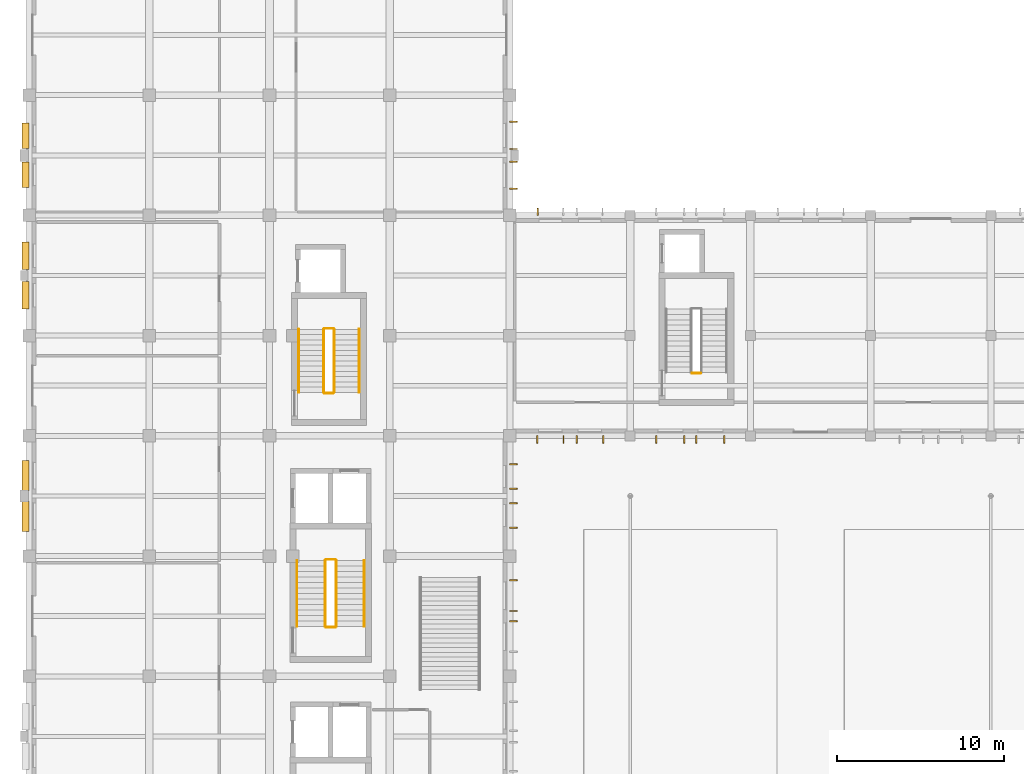
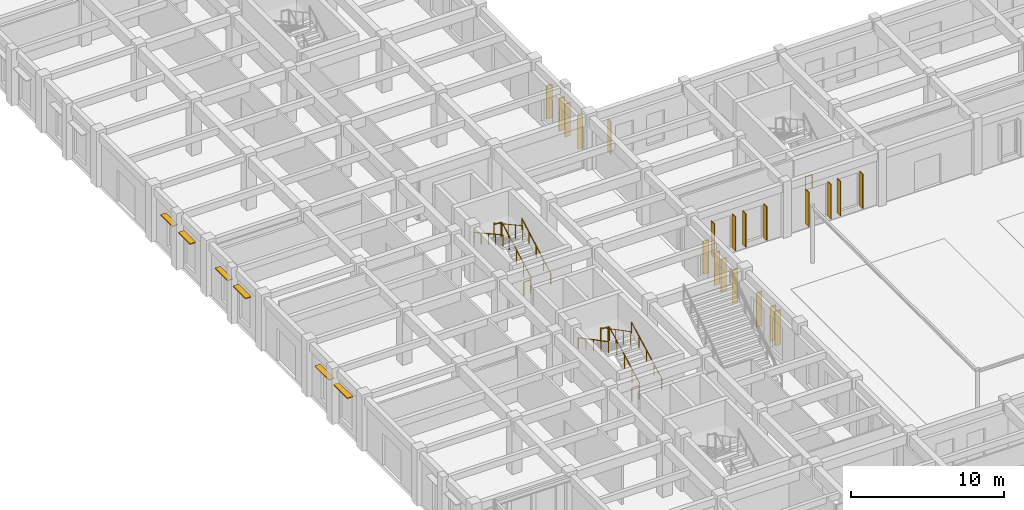
# One storey, part 37 of 43: 20 coverings, 13 railings, 6 shading devices.
"""IFC4 building model written with IfcOpenShell, lengths in metres."""

from ifc_helpers import new_model, si_unit, direction, frame, origin, origin_2d, place, context, subcontext, project, spatial, polyline, rectangle, circle, outline, extrude, material, layer, layer_set, type_object, element, save


model = new_model("IFC4")

# Units and contexts
model_context = context("Model", 3, precision=1e-05, world=origin(), true_north=direction((0.0, 1.0)))
body_context = subcontext(model_context, "Body", "Model", "MODEL_VIEW")
ifc_project = project(units=[si_unit("LENGTHUNIT", "METRE"), si_unit("AREAUNIT", "SQUARE_METRE"), si_unit("VOLUMEUNIT", "CUBIC_METRE"), si_unit("PLANEANGLEUNIT", "RADIAN"), si_unit("MASSUNIT", "GRAM", prefix="KILO")], contexts=[model_context])

# Site, building, storey
site_placement = place(None, origin())
site = spatial("IfcSite", under=ifc_project, at=site_placement, CompositionType="ELEMENT")
building_placement = place(site_placement, origin())
building = spatial("IfcBuilding", under=site, at=building_placement, Name="Alvorim Cloister Faculty of Sciences", CompositionType="ELEMENT")
storey_placement = place(building_placement, origin())
storey = spatial("IfcBuildingStorey", under=building, at=storey_placement, Name="L00", CompositionType="ELEMENT", Elevation=0.0)

# Coverings
ifc_material_1 = material(Name="Anodised Aluminium Alloy 6063-T6", Category="aluminium")
ifc_layer = layer(ifc_material_1, 0.054931640625)
ifc_layer_set = layer_set([ifc_layer], Name="Anodised Aluminium Alloy 6063-T6")
covering_type = type_object("IfcCoveringType", Name="COV-SHD-FIN", PredefinedType="CLADDING", material=ifc_layer_set)
for number, where, z_axis, x_axis, name in (
    (1, (28.800048828125, 57.993408203125, 0.389892578125), (0.0, 0.0, 1.0), (1.0, 0.0, 0.0), "L00 Brise-Soleil Vertical Fin COV-FIN-00055"),
    (2, (28.800048828125, 59.623291015625, 0.389892578125), (0.0, 0.0, 1.0), (1.0, 0.0, 0.0), "L00 Brise-Soleil Vertical Fin COV-FIN-00056"),
    (3, (28.800048828125, 60.376708984375, 0.389892578125), (0.0, 0.0, 1.0), (1.0, 0.0, 0.0), "L00 Brise-Soleil Vertical Fin COV-FIN-00057"),
    (4, (28.800048828125, 62.006591796875, 0.389892578125), (0.0, 0.0, 1.0), (1.0, 0.0, 0.0), "L00 Brise-Soleil Vertical Fin COV-FIN-00058"),
):
    element("IfcCovering", number, at=place(storey_placement, frame(where, z_axis=z_axis, x_axis=x_axis)), inside=storey, type_object=covering_type, Name=name, PredefinedType="CLADDING", context=body_context, shape_type="SweptSolid", body=[
        extrude(outline(polyline([(0.0, 0.0), (0.43994140625, 0.0), (0.43994140625, 2.66015625), (0.0, 2.66015625), (0.0, 0.0)])), frame((0.0, 0.02734375, 0.0), z_axis=(0.0, -1.0, 0.0), x_axis=(1.0, 0.0, 0.0)), (0.0, 0.0, 1.0), 0.054931640625),
    ])
covering_placement = place(storey_placement, frame((30.4599609375, 56.39990234375, 0.389892578125), z_axis=(0.0, 0.0, 1.0), x_axis=(0.0, 1.0, 0.0)))
element("IfcCovering", 5, at=covering_placement, inside=storey, type_object=covering_type, Name="L00 Brise-Soleil Vertical Fin COV-FIN-00059", PredefinedType="CLADDING", context=body_context, shape_type="SweptSolid", body=[
    extrude(outline(polyline([(0.0, 0.0), (0.43994140625, 0.0), (0.43994140625, 2.610107421875), (0.0, 2.610107421875), (0.0, 0.0)])), frame((0.0, 0.02734375, 0.0), z_axis=(0.0, -1.0, 0.0), x_axis=(1.0, 0.0, 0.0)), (0.0, 0.0, 1.0), 0.054931640625),
])
for number, where, z_axis, x_axis, name in (
    (6, (37.56005859375, 43.199951171875, 0.389892578125), (0.0, 0.0, 1.0), (0.0, -1.0, 0.0), "L00 Brise-Soleil Vertical Fin COV-FIN-00091"),
    (7, (39.239990234375, 43.199951171875, 0.389892578125), (0.0, 0.0, 1.0), (0.0, -1.0, 0.0), "L00 Brise-Soleil Vertical Fin COV-FIN-00092"),
    (8, (39.9599609375, 43.199951171875, 0.389892578125), (0.0, 0.0, 1.0), (0.0, -1.0, 0.0), "L00 Brise-Soleil Vertical Fin COV-FIN-00093"),
    (9, (41.639892578125, 43.199951171875, 0.389892578125), (0.0, 0.0, 1.0), (0.0, -1.0, 0.0), "L00 Brise-Soleil Vertical Fin COV-FIN-00094"),
):
    element("IfcCovering", number, at=place(storey_placement, frame(where, z_axis=z_axis, x_axis=x_axis)), inside=storey, type_object=covering_type, Name=name, PredefinedType="CLADDING", context=body_context, shape_type="SweptSolid", body=[
        extrude(outline(polyline([(0.0, 0.0), (0.43994140625, 0.0), (0.43994140625, 2.760009765625), (0.0, 2.760009765625), (0.0, 0.0)])), frame((0.0, 0.02734375, 0.0), z_axis=(0.0, -1.0, 0.0), x_axis=(1.0, 0.0, 0.0)), (0.0, 0.0, 1.0), 0.054931640625),
    ])
for number, where, z_axis, x_axis, name in (
    (10, (30.4267578125, 43.199951171875, 0.389892578125), (0.0, 0.0, 1.0), (0.0, -1.0, 0.0), "L00 Brise-Soleil Vertical Fin COV-FIN-00095"),
    (11, (32.006591796875, 43.199951171875, 0.389892578125), (0.0, 0.0, 1.0), (0.0, -1.0, 0.0), "L00 Brise-Soleil Vertical Fin COV-FIN-00096"),
    (12, (32.793212890625, 43.199951171875, 0.389892578125), (0.0, 0.0, 1.0), (0.0, -1.0, 0.0), "L00 Brise-Soleil Vertical Fin COV-FIN-00097"),
    (13, (34.373291015625, 43.199951171875, 0.389892578125), (0.0, 0.0, 1.0), (0.0, -1.0, 0.0), "L00 Brise-Soleil Vertical Fin COV-FIN-00098"),
):
    element("IfcCovering", number, at=place(storey_placement, frame(where, z_axis=z_axis, x_axis=x_axis)), inside=storey, type_object=covering_type, Name=name, PredefinedType="CLADDING", context=body_context, shape_type="SweptSolid", body=[
        extrude(outline(polyline([(0.0, 0.0), (0.43994140625, 0.0), (0.43994140625, 2.710205078125), (0.0, 2.710205078125), (0.0, 0.0)])), frame((0.0, 0.02734375, 0.0), z_axis=(0.0, -1.0, 0.0), x_axis=(1.0, 0.0, 0.0)), (0.0, 0.0, 1.0), 0.054931640625),
    ])
for number, where, z_axis, x_axis, name in (
    (14, (28.800048828125, 37.693359375, 0.389892578125), (0.0, 0.0, 1.0), (1.0, 0.0, 0.0), "L00 Brise-Soleil Vertical Fin COV-FIN-00099"),
    (15, (28.800048828125, 39.17333984375, 0.389892578125), (0.0, 0.0, 1.0), (1.0, 0.0, 0.0), "L00 Brise-Soleil Vertical Fin COV-FIN-00100"),
    (16, (28.800048828125, 40.026611328125, 0.389892578125), (0.0, 0.0, 1.0), (1.0, 0.0, 0.0), "L00 Brise-Soleil Vertical Fin COV-FIN-00101"),
    (17, (28.800048828125, 41.506591796875, 0.389892578125), (0.0, 0.0, 1.0), (1.0, 0.0, 0.0), "L00 Brise-Soleil Vertical Fin COV-FIN-00102"),
):
    element("IfcCovering", number, at=place(storey_placement, frame(where, z_axis=z_axis, x_axis=x_axis)), inside=storey, type_object=covering_type, Name=name, PredefinedType="CLADDING", context=body_context, shape_type="SweptSolid", body=[
        extrude(outline(polyline([(0.0, 0.0), (0.43994140625, 0.0), (0.43994140625, 2.66015625), (0.0, 2.66015625), (0.0, 0.0)])), frame((0.0, 0.02734375, 0.0), z_axis=(0.0, -1.0, 0.0), x_axis=(1.0, 0.0, 0.0)), (0.0, 0.0, 1.0), 0.054931640625),
    ])
for number, where, z_axis, x_axis, name in (
    (18, (28.800048828125, 32.090087890625, 0.389892578125), (0.0, 0.0, 1.0), (1.0, 0.0, 0.0), "L00 Brise-Soleil Vertical Fin COV-FIN-00104"),
    (19, (28.800048828125, 32.7099609375, 0.389892578125), (0.0, 0.0, 1.0), (1.0, 0.0, 0.0), "L00 Brise-Soleil Vertical Fin COV-FIN-00105"),
    (20, (28.800048828125, 34.5400390625, 0.389892578125), (0.0, 0.0, 1.0), (1.0, 0.0, 0.0), "L00 Brise-Soleil Vertical Fin COV-FIN-00106"),
):
    element("IfcCovering", number, at=place(storey_placement, frame(where, z_axis=z_axis, x_axis=x_axis)), inside=storey, type_object=covering_type, Name=name, PredefinedType="CLADDING", context=body_context, shape_type="SweptSolid", body=[
        extrude(outline(polyline([(0.0, 0.0), (0.43994140625, 0.0), (0.43994140625, 2.760009765625), (0.0, 2.760009765625), (0.0, 0.0)])), frame((0.0, 0.02734375, 0.0), z_axis=(0.0, -1.0, 0.0), x_axis=(1.0, 0.0, 0.0)), (0.0, 0.0, 1.0), 0.054931640625),
    ])

# Railings
ifc_material_2 = material(Name="Galvanised Painted Steel", Category="steel")
railing_type_1 = type_object("IfcRailingType", Name="RL-STR-GUARD", PredefinedType="GUARDRAIL", material=ifc_material_2)
railing_1_placement = place(storey_placement, frame((18.389892578125, 31.780029296875, 0.173095703125)))
element("IfcRailing", 21, at=railing_1_placement, inside=storey, type_object=railing_type_1, Name="L00 ST-02 stair guard 1", PredefinedType="GUARDRAIL", context=body_context, shape_type="SweptSolid", body=[
    extrude(circle(Radius=0.02392578125, at=origin_2d()), frame((0.0, 0.0, 1.09619140625), z_axis=(0.0, 0.885588829464, 0.464470047611), x_axis=(-1.0, 0.0, 0.0)), (0.0, 0.0, 1.0), 4.471435546875),
    extrude(circle(Radius=0.02099609375, at=origin_2d()), origin(), (0.0, 0.0, 1.0), 1.072021484375),
    extrude(circle(Radius=0.02099609375, at=origin_2d()), frame((0.0, 0.989990234375, 0.519287109375)), (0.0, 0.0, 1.0), 1.072021484375),
    extrude(circle(Radius=0.02099609375, at=origin_2d()), frame((0.0, 1.97998046875, 1.03857421875)), (0.0, 0.0, 1.0), 1.072021484375),
    extrude(circle(Radius=0.02099609375, at=origin_2d()), frame((0.0, 2.969970703125, 1.5576171875)), (0.0, 0.0, 1.0), 1.072021484375),
    extrude(circle(Radius=0.02099609375, at=origin_2d()), frame((0.0, 3.9599609375, 2.076904296875)), (0.0, 0.0, 1.0), 1.072021484375),
])
railing_2_placement = place(storey_placement, frame((18.340087890625, 35.7900390625, 2.25)))
element("IfcRailing", 22, at=railing_2_placement, inside=storey, type_object=railing_type_1, Name="L00 ST-02 stair guard 2", PredefinedType="GUARDRAIL", context=body_context, shape_type="SweptSolid", body=[
    extrude(circle(Radius=0.02392578125, at=origin_2d()), frame((0.0, 0.0, 1.09619140625), z_axis=(-1.0, 0.0, 0.0), x_axis=(0.0, -1.0, 0.0)), (0.0, 0.0, 1.0), 0.56005859375),
    extrude(circle(Radius=0.02099609375, at=origin_2d()), origin(), (0.0, 0.0, 1.0), 1.072021484375),
    extrude(circle(Radius=0.02099609375, at=origin_2d()), frame((-0.56005859375, 0.0, 0.0)), (0.0, 0.0, 1.0), 1.072021484375),
])
railing_3_placement = place(storey_placement, frame((17.72998046875, 35.739990234375, 2.423095703125)))
element("IfcRailing", 23, at=railing_3_placement, inside=storey, type_object=railing_type_1, Name="L00 ST-02 stair guard 3", PredefinedType="GUARDRAIL", context=body_context, shape_type="SweptSolid", body=[
    extrude(circle(Radius=0.02392578125, at=origin_2d()), frame((0.0, 0.0, 1.09619140625), z_axis=(0.0, -0.885588829464, 0.464470047611), x_axis=(1.0, 0.0, 0.0)), (0.0, 0.0, 1.0), 4.471435546875),
    extrude(circle(Radius=0.02099609375, at=origin_2d()), origin(), (0.0, 0.0, 1.0), 1.072021484375),
    extrude(circle(Radius=0.02099609375, at=origin_2d()), frame((0.0, -0.989990234375, 0.519287109375)), (0.0, 0.0, 1.0), 1.072021484375),
    extrude(circle(Radius=0.02099609375, at=origin_2d()), frame((0.0, -1.97998046875, 1.03857421875)), (0.0, 0.0, 1.0), 1.072021484375),
    extrude(circle(Radius=0.02099609375, at=origin_2d()), frame((0.0, -2.969970703125, 1.5576171875)), (0.0, 0.0, 1.0), 1.072021484375),
    extrude(circle(Radius=0.02099609375, at=origin_2d()), frame((0.0, -3.9599609375, 2.076904296875)), (0.0, 0.0, 1.0), 1.072021484375),
])
railing_4_placement = place(storey_placement, frame((18.340087890625, 31.72998046875, 0.0)))
element("IfcRailing", 24, at=railing_4_placement, inside=storey, type_object=railing_type_1, Name="L00 ST-02 stair guard 4", PredefinedType="GUARDRAIL", context=body_context, shape_type="SweptSolid", body=[
    extrude(circle(Radius=0.02392578125, at=origin_2d()), frame((0.0, 0.0, 1.09619140625), z_axis=(-1.0, 0.0, 0.0), x_axis=(0.0, -1.0, 0.0)), (0.0, 0.0, 1.0), 0.56005859375),
    extrude(circle(Radius=0.02099609375, at=origin_2d()), origin(), (0.0, 0.0, 1.0), 1.072021484375),
    extrude(circle(Radius=0.02099609375, at=origin_2d()), frame((-0.56005859375, 0.0, 0.0)), (0.0, 0.0, 1.0), 1.072021484375),
])
railing_5_placement = place(storey_placement, frame((18.27001953125, 45.800048828125, 0.173095703125)))
element("IfcRailing", 25, at=railing_5_placement, inside=storey, type_object=railing_type_1, Name="L00 ST-03 stair guard 1", PredefinedType="GUARDRAIL", context=body_context, shape_type="SweptSolid", body=[
    extrude(circle(Radius=0.02392578125, at=origin_2d()), frame((0.0, 0.0, 1.09619140625), z_axis=(0.0, 0.876422584698, 0.481542784217), x_axis=(-1.0, 0.0, 0.0)), (0.0, 0.0, 1.0), 4.31298828125),
    extrude(circle(Radius=0.02099609375, at=origin_2d()), origin(), (0.0, 0.0, 1.0), 1.072021484375),
    extrude(circle(Radius=0.02099609375, at=origin_2d()), frame((0.0, 0.945068359375, 0.519287109375)), (0.0, 0.0, 1.0), 1.072021484375),
    extrude(circle(Radius=0.02099609375, at=origin_2d()), frame((0.0, 1.89013671875, 1.03857421875)), (0.0, 0.0, 1.0), 1.072021484375),
    extrude(circle(Radius=0.02099609375, at=origin_2d()), frame((0.0, 2.8349609375, 1.5576171875)), (0.0, 0.0, 1.0), 1.072021484375),
    extrude(circle(Radius=0.02099609375, at=origin_2d()), frame((0.0, 3.780029296875, 2.076904296875)), (0.0, 0.0, 1.0), 1.072021484375),
])
railing_6_placement = place(storey_placement, frame((18.219970703125, 49.6298828125, 2.25)))
element("IfcRailing", 26, at=railing_6_placement, inside=storey, type_object=railing_type_1, Name="L00 ST-03 stair guard 2", PredefinedType="GUARDRAIL", context=body_context, shape_type="SweptSolid", body=[
    extrude(circle(Radius=0.02392578125, at=origin_2d()), frame((0.0, 0.0, 1.09619140625), z_axis=(-1.0, 0.0, 0.0), x_axis=(0.0, -1.0, 0.0)), (0.0, 0.0, 1.0), 0.52001953125),
    extrude(circle(Radius=0.02099609375, at=origin_2d()), origin(), (0.0, 0.0, 1.0), 1.072021484375),
    extrude(circle(Radius=0.02099609375, at=origin_2d()), frame((-0.52001953125, 0.0, 0.0)), (0.0, 0.0, 1.0), 1.072021484375),
])
railing_7_placement = place(storey_placement, frame((17.64990234375, 49.580078125, 2.423095703125)))
element("IfcRailing", 27, at=railing_7_placement, inside=storey, type_object=railing_type_1, Name="L00 ST-03 stair guard 3", PredefinedType="GUARDRAIL", context=body_context, shape_type="SweptSolid", body=[
    extrude(circle(Radius=0.02392578125, at=origin_2d()), frame((0.0, 0.0, 1.09619140625), z_axis=(0.0, -0.876422584698, 0.481542784217), x_axis=(1.0, 0.0, 0.0)), (0.0, 0.0, 1.0), 4.31298828125),
    extrude(circle(Radius=0.02099609375, at=origin_2d()), origin(), (0.0, 0.0, 1.0), 1.072021484375),
    extrude(circle(Radius=0.02099609375, at=origin_2d()), frame((0.0, -0.945068359375, 0.519287109375)), (0.0, 0.0, 1.0), 1.072021484375),
    extrude(circle(Radius=0.02099609375, at=origin_2d()), frame((0.0, -1.89013671875, 1.03857421875)), (0.0, 0.0, 1.0), 1.072021484375),
    extrude(circle(Radius=0.02099609375, at=origin_2d()), frame((0.0, -2.8349609375, 1.5576171875)), (0.0, 0.0, 1.0), 1.072021484375),
    extrude(circle(Radius=0.02099609375, at=origin_2d()), frame((0.0, -3.780029296875, 2.076904296875)), (0.0, 0.0, 1.0), 1.072021484375),
])
for number, where, name in (
    (28, (18.219970703125, 45.75, 0.0), "L00 ST-03 stair guard 4"),
    (29, (40.219970703125, 46.949951171875, 0.0), "L00 ST-04 stair guard 4"),
):
    element("IfcRailing", number, at=place(storey_placement, frame(where)), inside=storey, type_object=railing_type_1, Name=name, PredefinedType="GUARDRAIL", context=body_context, shape_type="SweptSolid", body=[
        extrude(circle(Radius=0.02392578125, at=origin_2d()), frame((0.0, 0.0, 1.09619140625), z_axis=(-1.0, 0.0, 0.0), x_axis=(0.0, -1.0, 0.0)), (0.0, 0.0, 1.0), 0.52001953125),
        extrude(circle(Radius=0.02099609375, at=origin_2d()), origin(), (0.0, 0.0, 1.0), 1.072021484375),
        extrude(circle(Radius=0.02099609375, at=origin_2d()), frame((-0.52001953125, 0.0, 0.0)), (0.0, 0.0, 1.0), 1.072021484375),
    ])
ifc_material_3 = material(Name="Brushed Stainless Steel", Category="steel")
railing_type_2 = type_object("IfcRailingType", Name="RL-STR-HAND", PredefinedType="HANDRAIL", material=ifc_material_3)
railing_8_placement = place(storey_placement, frame((20.070068359375, 31.780029296875, 0.173095703125)))
element("IfcRailing", 30, at=railing_8_placement, inside=storey, type_object=railing_type_2, Name="L00 ST-02 stair handrail 1", PredefinedType="HANDRAIL", context=body_context, shape_type="SweptSolid", body=[
    extrude(circle(Radius=0.02392578125, at=origin_2d()), frame((0.0, 0.0, 0.8759765625), z_axis=(0.0, 0.885588829464, 0.464470047611), x_axis=(-1.0, 0.0, 0.0)), (0.0, 0.0, 1.0), 4.471435546875),
    extrude(circle(Radius=0.02099609375, at=origin_2d()), origin(), (0.0, 0.0, 1.0), 0.851806640625),
    extrude(circle(Radius=0.02099609375, at=origin_2d()), frame((0.0, 0.989990234375, 0.519287109375)), (0.0, 0.0, 1.0), 0.851806640625),
    extrude(circle(Radius=0.02099609375, at=origin_2d()), frame((0.0, 1.97998046875, 1.03857421875)), (0.0, 0.0, 1.0), 0.851806640625),
    extrude(circle(Radius=0.02099609375, at=origin_2d()), frame((0.0, 2.969970703125, 1.5576171875)), (0.0, 0.0, 1.0), 0.851806640625),
    extrude(circle(Radius=0.02099609375, at=origin_2d()), frame((0.0, 3.9599609375, 2.076904296875)), (0.0, 0.0, 1.0), 0.851806640625),
])
railing_9_placement = place(storey_placement, frame((16.050048828125, 35.739990234375, 2.423095703125)))
element("IfcRailing", 31, at=railing_9_placement, inside=storey, type_object=railing_type_2, Name="L00 ST-02 stair handrail 2", PredefinedType="HANDRAIL", context=body_context, shape_type="SweptSolid", body=[
    extrude(circle(Radius=0.02392578125, at=origin_2d()), frame((0.0, 0.0, 0.8759765625), z_axis=(0.0, -0.885588829464, 0.464470047611), x_axis=(1.0, 0.0, 0.0)), (0.0, 0.0, 1.0), 4.471435546875),
    extrude(circle(Radius=0.02099609375, at=origin_2d()), origin(), (0.0, 0.0, 1.0), 0.851806640625),
    extrude(circle(Radius=0.02099609375, at=origin_2d()), frame((0.0, -0.989990234375, 0.519287109375)), (0.0, 0.0, 1.0), 0.851806640625),
    extrude(circle(Radius=0.02099609375, at=origin_2d()), frame((0.0, -1.97998046875, 1.03857421875)), (0.0, 0.0, 1.0), 0.851806640625),
    extrude(circle(Radius=0.02099609375, at=origin_2d()), frame((0.0, -2.969970703125, 1.5576171875)), (0.0, 0.0, 1.0), 0.851806640625),
    extrude(circle(Radius=0.02099609375, at=origin_2d()), frame((0.0, -3.9599609375, 2.076904296875)), (0.0, 0.0, 1.0), 0.851806640625),
])
railing_10_placement = place(storey_placement, frame((19.77001953125, 45.800048828125, 0.173095703125)))
element("IfcRailing", 32, at=railing_10_placement, inside=storey, type_object=railing_type_2, Name="L00 ST-03 stair handrail 1", PredefinedType="HANDRAIL", context=body_context, shape_type="SweptSolid", body=[
    extrude(circle(Radius=0.02392578125, at=origin_2d()), frame((0.0, 0.0, 0.8759765625), z_axis=(0.0, 0.876422584698, 0.481542784217), x_axis=(-1.0, 0.0, 0.0)), (0.0, 0.0, 1.0), 4.31298828125),
    extrude(circle(Radius=0.02099609375, at=origin_2d()), origin(), (0.0, 0.0, 1.0), 0.851806640625),
    extrude(circle(Radius=0.02099609375, at=origin_2d()), frame((0.0, 0.945068359375, 0.519287109375)), (0.0, 0.0, 1.0), 0.851806640625),
    extrude(circle(Radius=0.02099609375, at=origin_2d()), frame((0.0, 1.89013671875, 1.03857421875)), (0.0, 0.0, 1.0), 0.851806640625),
    extrude(circle(Radius=0.02099609375, at=origin_2d()), frame((0.0, 2.8349609375, 1.5576171875)), (0.0, 0.0, 1.0), 0.851806640625),
    extrude(circle(Radius=0.02099609375, at=origin_2d()), frame((0.0, 3.780029296875, 2.076904296875)), (0.0, 0.0, 1.0), 0.851806640625),
])
railing_11_placement = place(storey_placement, frame((16.14990234375, 49.580078125, 2.423095703125)))
element("IfcRailing", 33, at=railing_11_placement, inside=storey, type_object=railing_type_2, Name="L00 ST-03 stair handrail 2", PredefinedType="HANDRAIL", context=body_context, shape_type="SweptSolid", body=[
    extrude(circle(Radius=0.02392578125, at=origin_2d()), frame((0.0, 0.0, 0.8759765625), z_axis=(0.0, -0.876422584698, 0.481542784217), x_axis=(1.0, 0.0, 0.0)), (0.0, 0.0, 1.0), 4.31298828125),
    extrude(circle(Radius=0.02099609375, at=origin_2d()), origin(), (0.0, 0.0, 1.0), 0.851806640625),
    extrude(circle(Radius=0.02099609375, at=origin_2d()), frame((0.0, -0.945068359375, 0.519287109375)), (0.0, 0.0, 1.0), 0.851806640625),
    extrude(circle(Radius=0.02099609375, at=origin_2d()), frame((0.0, -1.89013671875, 1.03857421875)), (0.0, 0.0, 1.0), 0.851806640625),
    extrude(circle(Radius=0.02099609375, at=origin_2d()), frame((0.0, -2.8349609375, 1.5576171875)), (0.0, 0.0, 1.0), 0.851806640625),
    extrude(circle(Radius=0.02099609375, at=origin_2d()), frame((0.0, -3.780029296875, 2.076904296875)), (0.0, 0.0, 1.0), 0.851806640625),
])

# Shading devices
ifc_material_4 = material(Name="Perforated Bronze Alloy Sheet", Category="metal")
shading_device_type = type_object("IfcShadingDeviceType", Name="SHD-BRZ-FIN", PredefinedType="JALOUSIE", material=ifc_material_4)
for number, where, z_axis, x_axis, name in (
    (34, (-0.2099609375, 38.38330078125, 3.119873046875), (0.0, 0.0, 1.0), (1.0, 0.0, 0.0), "L00 Brise-Soleil Sun Hood SHD-0019"),
    (35, (-0.2099609375, 40.816650390625, 3.119873046875), (0.0, 0.0, 1.0), (1.0, 0.0, 0.0), "L00 Brise-Soleil Sun Hood SHD-0020"),
):
    element("IfcShadingDevice", number, at=place(storey_placement, frame(where, z_axis=z_axis, x_axis=x_axis)), inside=storey, type_object=shading_device_type, Name=name, PredefinedType="JALOUSIE", context=body_context, shape_type="SweptSolid", body=[
        extrude(rectangle(XDim=0.419921875, YDim=1.840087890625, at=origin_2d()), origin(), (0.0, 0.0, 1.0), 0.06005859375),
    ])
for number, where, z_axis, x_axis, name in (
    (36, (-0.2099609375, 51.61669921875, 3.02001953125), (0.0, 0.0, 1.0), (1.0, 0.0, 0.0), "L00 Brise-Soleil Sun Hood SHD-0021"),
    (37, (-0.2099609375, 53.9833984375, 3.02001953125), (0.0, 0.0, 1.0), (1.0, 0.0, 0.0), "L00 Brise-Soleil Sun Hood SHD-0022"),
):
    element("IfcShadingDevice", number, at=place(storey_placement, frame(where, z_axis=z_axis, x_axis=x_axis)), inside=storey, type_object=shading_device_type, Name=name, PredefinedType="JALOUSIE", context=body_context, shape_type="SweptSolid", body=[
        extrude(rectangle(XDim=0.419921875, YDim=1.639892578125, at=origin_2d()), origin(), (0.0, 0.0, 1.0), 0.06005859375),
    ])
for number, where, z_axis, x_axis, name in (
    (38, (-0.2099609375, 58.833251953125, 2.969970703125), (0.0, 0.0, 1.0), (1.0, 0.0, 0.0), "L00 Brise-Soleil Sun Hood SHD-0023"),
    (39, (-0.2099609375, 61.166748046875, 2.969970703125), (0.0, 0.0, 1.0), (1.0, 0.0, 0.0), "L00 Brise-Soleil Sun Hood SHD-0024"),
):
    element("IfcShadingDevice", number, at=place(storey_placement, frame(where, z_axis=z_axis, x_axis=x_axis)), inside=storey, type_object=shading_device_type, Name=name, PredefinedType="JALOUSIE", context=body_context, shape_type="SweptSolid", body=[
        extrude(rectangle(XDim=0.419921875, YDim=1.5400390625, at=origin_2d()), origin(), (0.0, 0.0, 1.0), 0.06005859375),
    ])

save(model, "model.ifc")
